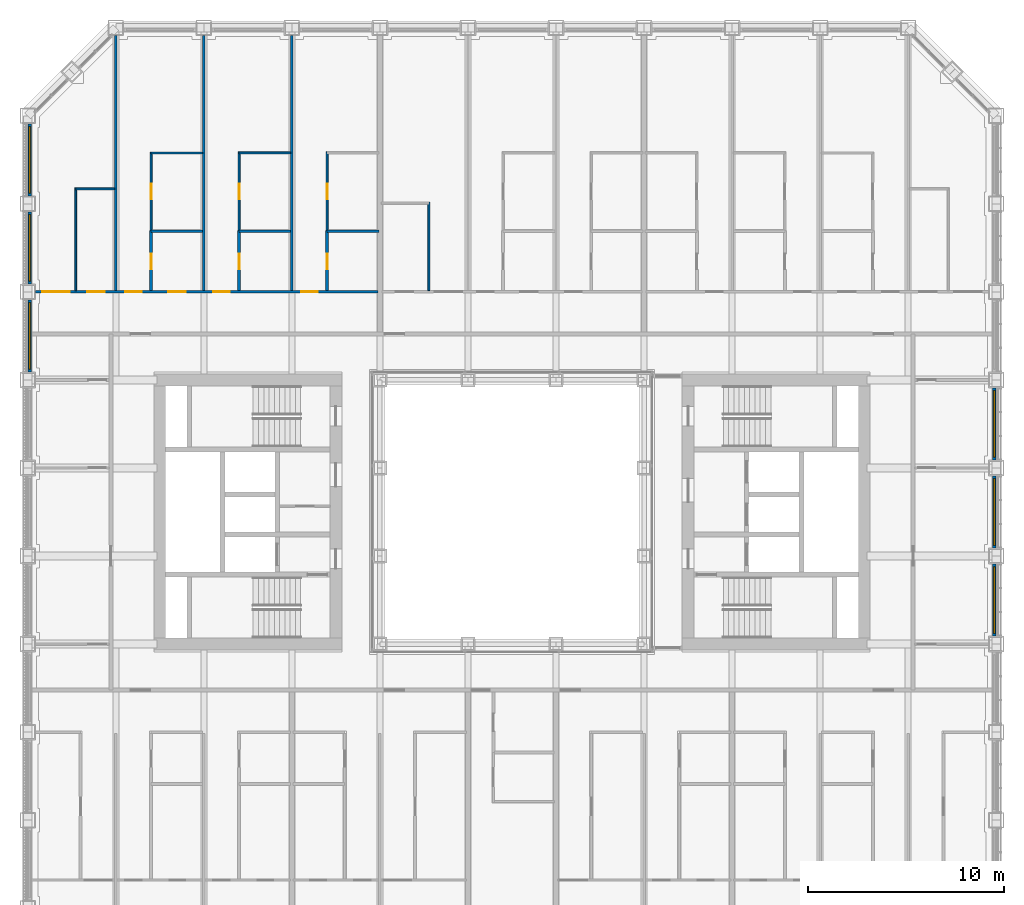
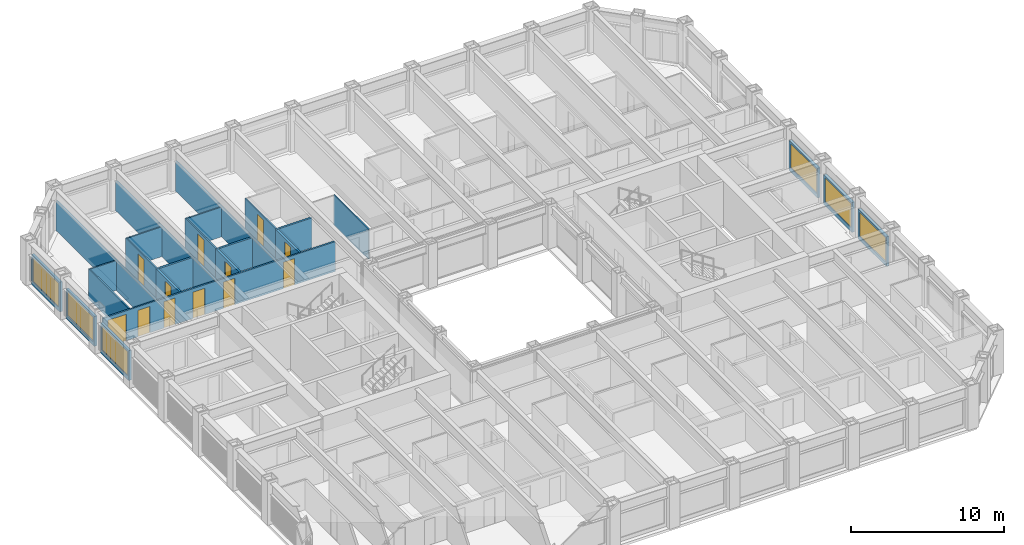
# One storey, part 13 of 21: 24 walls, 12 doors, 6 windows, 18 openings.
"""IFC4 building model written with IfcOpenShell, lengths in metres."""

from ifc_helpers import new_model, si_unit, direction, frame, frame_2d, origin, place, context, subcontext, project, spatial, rectangle, extrude, material, layer, layer_set, type_object, element, fill, save


model = new_model("IFC4")

# Units and contexts
model_context = context("Model", 3, precision=1e-05, world=origin(), true_north=direction((0.0, 1.0)))
body_context = subcontext(model_context, "Body", "Model", "MODEL_VIEW")
ifc_project = project(units=[si_unit("LENGTHUNIT", "METRE"), si_unit("AREAUNIT", "SQUARE_METRE"), si_unit("VOLUMEUNIT", "CUBIC_METRE"), si_unit("PLANEANGLEUNIT", "RADIAN"), si_unit("MASSUNIT", "GRAM", prefix="KILO")], contexts=[model_context])

# Site, building, storey
site_placement = place(None, origin())
site = spatial("IfcSite", under=ifc_project, at=site_placement, CompositionType="ELEMENT")
building_placement = place(site_placement, origin())
building = spatial("IfcBuilding", under=site, at=building_placement, Name="Msasa Ring Tower", CompositionType="ELEMENT")
storey_placement = place(building_placement, frame((0.0, 0.0, 68.5)))
storey = spatial("IfcBuildingStorey", under=building, at=storey_placement, Name="L17", CompositionType="ELEMENT", Elevation=68.5)

# Wall, opening, window
ifc_material_1 = material(Name="Terracotta rainscreen on blockwork", Category="masonry")
ifc_layer_1 = layer(ifc_material_1, 0.199951171875)
ifc_layer_set_1 = layer_set([ifc_layer_1], Name="FW1 TERRACOTTA-LINED INFILL BAY WALL 200")
wall_type_1 = type_object("IfcWallType", Name="FW1 TERRACOTTA-LINED INFILL BAY WALL 200", PredefinedType="SOLIDWALL", material=ifc_layer_set_1)
wall_1_placement = place(storey_placement, frame((24.64990234375, -6.344970703125, 0.0), z_axis=(0.0, 0.0, 1.0), x_axis=(0.0, 1.0, 0.0)))
wall_1 = element("IfcWall", 1, at=wall_1_placement, inside=storey, type_object=wall_type_1, Name="Infill bay wall E L17 14", PredefinedType="SOLIDWALL", context=body_context, shape_type="SweptSolid", body=[
    extrude(rectangle(XDim=3.68994140625, YDim=0.199951171875, at=frame_2d((1.844970703125, 0.0))), origin(), (0.0, 0.0, 1.0), 2.37890625),
])
opening_1_placement = place(wall_1_placement, frame((0.14501953125, 0.0, 0.300048828125)))
opening_1 = element("IfcOpeningElement", 2, at=opening_1_placement, cuts=wall_1, Name="Opening WN1", PredefinedType="OPENING", context=body_context, shape_type="SweptSolid", body=[
    extrude(rectangle(XDim=3.39990234375, YDim=1.928955078125, at=frame_2d((1.699951171875, 0.96435546875))), frame((0.0, 0.10986328125, 0.0), z_axis=(0.0, -1.0, 0.0), x_axis=(1.0, 0.0, 0.0)), (0.0, 0.0, 1.0), 0.219970703125),
])
ifc_material_2 = material(Name="Aluminium frame with clear glass", Category="aluminium")
window_type = type_object("IfcWindowType", Name="WN1 RESIDENCE WINDOW 3400x1929", PartitioningType="SINGLE_PANEL", PredefinedType="WINDOW", material=ifc_material_2)
window_1_placement = place(opening_1_placement, origin())
window_1 = element("IfcWindow", 3, at=window_1_placement, inside=storey, type_object=window_type, Name="Window E L17 14", OverallHeight=1.928955078125, OverallWidth=3.39990234375, PartitioningType="SINGLE_PANEL", PredefinedType="WINDOW", context=body_context, shape_type="SweptSolid", body=[
    extrude(rectangle(XDim=3.39990234375, YDim=1.928955078125, at=frame_2d((1.699951171875, 0.96435546875))), frame((0.0, 0.030029296875, 0.0), z_axis=(0.0, -1.0, 0.0), x_axis=(1.0, 0.0, 0.0)), (0.0, 0.0, 1.0), 0.06005859375),
])
fill(opening_1, window_1)

wall_2_placement = place(storey_placement, frame((24.64990234375, -1.844970703125, 0.0), z_axis=(0.0, 0.0, 1.0), x_axis=(0.0, 1.0, 0.0)))
wall_2 = element("IfcWall", 4, at=wall_2_placement, inside=storey, type_object=wall_type_1, Name="Infill bay wall E L17 15", PredefinedType="SOLIDWALL", context=body_context, shape_type="SweptSolid", body=[
    extrude(rectangle(XDim=3.68994140625, YDim=0.199951171875, at=frame_2d((1.844970703125, 0.0))), origin(), (0.0, 0.0, 1.0), 2.37890625),
])
opening_2_placement = place(wall_2_placement, frame((0.14501953125, 0.0, 0.300048828125)))
opening_2 = element("IfcOpeningElement", 5, at=opening_2_placement, cuts=wall_2, Name="Opening WN1", PredefinedType="OPENING", context=body_context, shape_type="SweptSolid", body=[
    extrude(rectangle(XDim=3.39990234375, YDim=1.928955078125, at=frame_2d((1.699951171875, 0.96435546875))), frame((0.0, 0.10986328125, 0.0), z_axis=(0.0, -1.0, 0.0), x_axis=(1.0, 0.0, 0.0)), (0.0, 0.0, 1.0), 0.219970703125),
])
window_2_placement = place(opening_2_placement, origin())
window_2 = element("IfcWindow", 6, at=window_2_placement, inside=storey, type_object=window_type, Name="Window E L17 15", OverallHeight=1.928955078125, OverallWidth=3.39990234375, PartitioningType="SINGLE_PANEL", PredefinedType="WINDOW", context=body_context, shape_type="SweptSolid", body=[
    extrude(rectangle(XDim=3.39990234375, YDim=1.928955078125, at=frame_2d((1.699951171875, 0.96435546875))), frame((0.0, 0.030029296875, 0.0), z_axis=(0.0, -1.0, 0.0), x_axis=(1.0, 0.0, 0.0)), (0.0, 0.0, 1.0), 0.06005859375),
])
fill(opening_2, window_2)

wall_3_placement = place(storey_placement, frame((24.64990234375, 2.655029296875, 0.0), z_axis=(0.0, 0.0, 1.0), x_axis=(0.0, 1.0, 0.0)))
wall_3 = element("IfcWall", 7, at=wall_3_placement, inside=storey, type_object=wall_type_1, Name="Infill bay wall E L17 16", PredefinedType="SOLIDWALL", context=body_context, shape_type="SweptSolid", body=[
    extrude(rectangle(XDim=3.68994140625, YDim=0.199951171875, at=frame_2d((1.844970703125, 0.0))), origin(), (0.0, 0.0, 1.0), 2.37890625),
])
opening_3_placement = place(wall_3_placement, frame((0.14501953125, 0.0, 0.300048828125)))
opening_3 = element("IfcOpeningElement", 8, at=opening_3_placement, cuts=wall_3, Name="Opening WN1", PredefinedType="OPENING", context=body_context, shape_type="SweptSolid", body=[
    extrude(rectangle(XDim=3.39990234375, YDim=1.928955078125, at=frame_2d((1.699951171875, 0.96435546875))), frame((0.0, 0.10986328125, 0.0), z_axis=(0.0, -1.0, 0.0), x_axis=(1.0, 0.0, 0.0)), (0.0, 0.0, 1.0), 0.219970703125),
])
window_3_placement = place(opening_3_placement, origin())
window_3 = element("IfcWindow", 9, at=window_3_placement, inside=storey, type_object=window_type, Name="Window E L17 16", OverallHeight=1.928955078125, OverallWidth=3.39990234375, PartitioningType="SINGLE_PANEL", PredefinedType="WINDOW", context=body_context, shape_type="SweptSolid", body=[
    extrude(rectangle(XDim=3.39990234375, YDim=1.928955078125, at=frame_2d((1.699951171875, 0.96435546875))), frame((0.0, 0.030029296875, 0.0), z_axis=(0.0, -1.0, 0.0), x_axis=(1.0, 0.0, 0.0)), (0.0, 0.0, 1.0), 0.06005859375),
])
fill(opening_3, window_3)

wall_4_placement = place(storey_placement, frame((-24.64990234375, 7.155029296875, 0.0), z_axis=(0.0, 0.0, 1.0), x_axis=(0.0, 1.0, 0.0)))
wall_4 = element("IfcWall", 10, at=wall_4_placement, inside=storey, type_object=wall_type_1, Name="Infill bay wall W L17 39", PredefinedType="SOLIDWALL", context=body_context, shape_type="SweptSolid", body=[
    extrude(rectangle(XDim=3.68994140625, YDim=0.199951171875, at=frame_2d((1.844970703125, 0.0))), origin(), (0.0, 0.0, 1.0), 2.37890625),
])
opening_4_placement = place(wall_4_placement, frame((0.14501953125, 0.0, 0.300048828125)))
opening_4 = element("IfcOpeningElement", 11, at=opening_4_placement, cuts=wall_4, Name="Opening WN1", PredefinedType="OPENING", context=body_context, shape_type="SweptSolid", body=[
    extrude(rectangle(XDim=3.39990234375, YDim=1.928955078125, at=frame_2d((1.699951171875, 0.96435546875))), frame((0.0, 0.10986328125, 0.0), z_axis=(0.0, -1.0, 0.0), x_axis=(1.0, 0.0, 0.0)), (0.0, 0.0, 1.0), 0.219970703125),
])
window_4_placement = place(opening_4_placement, origin())
window_4 = element("IfcWindow", 12, at=window_4_placement, inside=storey, type_object=window_type, Name="Window W L17 39", OverallHeight=1.928955078125, OverallWidth=3.39990234375, PartitioningType="SINGLE_PANEL", PredefinedType="WINDOW", context=body_context, shape_type="SweptSolid", body=[
    extrude(rectangle(XDim=3.39990234375, YDim=1.928955078125, at=frame_2d((1.699951171875, 0.96435546875))), frame((0.0, 0.030029296875, 0.0), z_axis=(0.0, -1.0, 0.0), x_axis=(1.0, 0.0, 0.0)), (0.0, 0.0, 1.0), 0.06005859375),
])
fill(opening_4, window_4)

wall_5_placement = place(storey_placement, frame((-24.64990234375, 11.655029296875, 0.0), z_axis=(0.0, 0.0, 1.0), x_axis=(0.0, 1.0, 0.0)))
wall_5 = element("IfcWall", 13, at=wall_5_placement, inside=storey, type_object=wall_type_1, Name="Infill bay wall W L17 40", PredefinedType="SOLIDWALL", context=body_context, shape_type="SweptSolid", body=[
    extrude(rectangle(XDim=3.68994140625, YDim=0.199951171875, at=frame_2d((1.844970703125, 0.0))), origin(), (0.0, 0.0, 1.0), 2.37890625),
])
opening_5_placement = place(wall_5_placement, frame((0.14501953125, 0.0, 0.300048828125)))
opening_5 = element("IfcOpeningElement", 14, at=opening_5_placement, cuts=wall_5, Name="Opening WN1", PredefinedType="OPENING", context=body_context, shape_type="SweptSolid", body=[
    extrude(rectangle(XDim=3.39990234375, YDim=1.928955078125, at=frame_2d((1.699951171875, 0.96435546875))), frame((0.0, 0.10986328125, 0.0), z_axis=(0.0, -1.0, 0.0), x_axis=(1.0, 0.0, 0.0)), (0.0, 0.0, 1.0), 0.219970703125),
])
window_5_placement = place(opening_5_placement, origin())
window_5 = element("IfcWindow", 15, at=window_5_placement, inside=storey, type_object=window_type, Name="Window W L17 40", OverallHeight=1.928955078125, OverallWidth=3.39990234375, PartitioningType="SINGLE_PANEL", PredefinedType="WINDOW", context=body_context, shape_type="SweptSolid", body=[
    extrude(rectangle(XDim=3.39990234375, YDim=1.928955078125, at=frame_2d((1.699951171875, 0.96435546875))), frame((0.0, 0.030029296875, 0.0), z_axis=(0.0, -1.0, 0.0), x_axis=(1.0, 0.0, 0.0)), (0.0, 0.0, 1.0), 0.06005859375),
])
fill(opening_5, window_5)

wall_6_placement = place(storey_placement, frame((-24.64990234375, 16.155029296875, 0.0), z_axis=(0.0, 0.0, 1.0), x_axis=(0.0, 1.0, 0.0)))
wall_6 = element("IfcWall", 16, at=wall_6_placement, inside=storey, type_object=wall_type_1, Name="Infill bay wall W L17 41", PredefinedType="SOLIDWALL", context=body_context, shape_type="SweptSolid", body=[
    extrude(rectangle(XDim=3.68994140625, YDim=0.199951171875, at=frame_2d((1.844970703125, 0.0))), origin(), (0.0, 0.0, 1.0), 2.37890625),
])
opening_6_placement = place(wall_6_placement, frame((0.14501953125, 0.0, 0.300048828125)))
opening_6 = element("IfcOpeningElement", 17, at=opening_6_placement, cuts=wall_6, Name="Opening WN1", PredefinedType="OPENING", context=body_context, shape_type="SweptSolid", body=[
    extrude(rectangle(XDim=3.39990234375, YDim=1.928955078125, at=frame_2d((1.699951171875, 0.96435546875))), frame((0.0, 0.10986328125, 0.0), z_axis=(0.0, -1.0, 0.0), x_axis=(1.0, 0.0, 0.0)), (0.0, 0.0, 1.0), 0.219970703125),
])
window_6_placement = place(opening_6_placement, origin())
window_6 = element("IfcWindow", 18, at=window_6_placement, inside=storey, type_object=window_type, Name="Window W L17 41", OverallHeight=1.928955078125, OverallWidth=3.39990234375, PartitioningType="SINGLE_PANEL", PredefinedType="WINDOW", context=body_context, shape_type="SweptSolid", body=[
    extrude(rectangle(XDim=3.39990234375, YDim=1.928955078125, at=frame_2d((1.699951171875, 0.96435546875))), frame((0.0, 0.030029296875, 0.0), z_axis=(0.0, -1.0, 0.0), x_axis=(1.0, 0.0, 0.0)), (0.0, 0.0, 1.0), 0.06005859375),
])
fill(opening_6, window_6)

# Walls
ifc_material_3 = material(Name="Gypsum board on steel studs", Category="steel")
ifc_layer_2 = layer(ifc_material_3, 0.10009765625)
ifc_layer_set_2 = layer_set([ifc_layer_2], Name="PT2 STUD PARTITION 100")
wall_type_2 = type_object("IfcWallType", Name="PT2 STUD PARTITION 100", PredefinedType="PARTITIONING", material=ifc_layer_set_2)
wall_7_placement = place(storey_placement, frame((-22.300048828125, 11.3125, 0.0), z_axis=(0.0, 0.0, 1.0), x_axis=(0.0, 1.0, 0.0)))
element("IfcWall", 19, at=wall_7_placement, inside=storey, type_object=wall_type_2, Name="Partition L17-UN00KX", PredefinedType="PARTITIONING", context=body_context, shape_type="SweptSolid", body=[
    extrude(rectangle(XDim=5.25, YDim=0.10009765625, at=frame_2d((2.625, 0.0))), origin(), (0.0, 0.0, 1.0), 2.373291015625),
])
wall_8_placement = place(storey_placement, frame((-22.300048828125, 16.512451171875, 0.0), z_axis=(0.0, 0.0, 1.0), x_axis=(1.0, 0.0, 0.0)))
element("IfcWall", 20, at=wall_8_placement, inside=storey, type_object=wall_type_2, Name="Partition L17-UN00KY", PredefinedType="PARTITIONING", context=body_context, shape_type="SweptSolid", body=[
    extrude(rectangle(XDim=1.987548828125, YDim=0.10009765625, at=frame_2d((0.99365234375, 0.0))), origin(), (0.0, 0.0, 1.0), 2.373291015625),
])

# Wall, opening, door
wall_9_placement = place(storey_placement, frame((-18.449951171875, 14.39990234375, 0.0), z_axis=(0.0, 0.0, 1.0), x_axis=(0.0, 1.0, 0.0)))
wall_9 = element("IfcWall", 21, at=wall_9_placement, inside=storey, type_object=wall_type_2, Name="Partition L17-UN00WX1", PredefinedType="PARTITIONING", context=body_context, shape_type="SweptSolid", body=[
    extrude(rectangle(XDim=4.00048828125, YDim=0.10009765625, at=frame_2d((2.000244140625, 0.0))), origin(), (0.0, 0.0, 1.0), 2.373291015625),
])
opening_7_placement = place(wall_9_placement, frame((1.5751953125, 0.0, 0.0)))
opening_7 = element("IfcOpeningElement", 22, at=opening_7_placement, cuts=wall_9, Name="Opening RE-001", PredefinedType="OPENING", context=body_context, shape_type="SweptSolid", body=[
    extrude(rectangle(XDim=0.800048828125, YDim=2.10009765625, at=frame_2d((0.39990234375, 1.050048828125))), frame((0.0, 0.06005859375, 0.0), z_axis=(0.0, -1.0, 0.0), x_axis=(1.0, 0.0, 0.0)), (0.0, 0.0, 1.0), 0.1201171875),
])
ifc_material_4 = material(Name="Timber door leaf in a steel frame", Category="steel")
door_type_1 = type_object("IfcDoorType", Name="D60 DRESSING ROOM DOOR 800x2100", OperationType="SINGLE_SWING_LEFT", PredefinedType="DOOR", material=ifc_material_4)
door_1_placement = place(opening_7_placement, origin())
door_1 = element("IfcDoor", 23, at=door_1_placement, inside=storey, type_object=door_type_1, Name="Door L17-UN00W1", OperationType="SINGLE_SWING_LEFT", OverallHeight=2.10009765625, OverallWidth=0.800048828125, PredefinedType="DOOR", context=body_context, shape_type="SweptSolid", body=[
    extrude(rectangle(XDim=0.800048828125, YDim=2.10009765625, at=frame_2d((0.39990234375, 1.050048828125))), frame((0.0, 0.02490234375, 0.0), z_axis=(0.0, -1.0, 0.0), x_axis=(1.0, 0.0, 0.0)), (0.0, 0.0, 1.0), 0.050048828125),
])
fill(opening_7, door_1)

# Wall
wall_10_placement = place(storey_placement, frame((-18.449951171875, 18.350341796875, 0.0), z_axis=(0.0, 0.0, 1.0), x_axis=(1.0, 0.0, 0.0)))
element("IfcWall", 24, at=wall_10_placement, inside=storey, type_object=wall_type_2, Name="Partition L17-UN00WY1", PredefinedType="PARTITIONING", context=body_context, shape_type="SweptSolid", body=[
    extrude(rectangle(XDim=2.639892578125, YDim=0.10009765625, at=frame_2d((1.31982421875, 0.0))), origin(), (0.0, 0.0, 1.0), 2.373291015625),
])

# Wall, opening, door
wall_11_placement = place(storey_placement, frame((-13.949951171875, 14.39990234375, 0.0), z_axis=(0.0, 0.0, 1.0), x_axis=(0.0, 1.0, 0.0)))
wall_11 = element("IfcWall", 25, at=wall_11_placement, inside=storey, type_object=wall_type_2, Name="Partition L17-UN00WX2", PredefinedType="PARTITIONING", context=body_context, shape_type="SweptSolid", body=[
    extrude(rectangle(XDim=4.003173828125, YDim=0.10009765625, at=frame_2d((2.00146484375, 0.0))), origin(), (0.0, 0.0, 1.0), 2.373291015625),
])
opening_8_placement = place(wall_11_placement, frame((1.576416015625, 0.0, 0.0)))
opening_8 = element("IfcOpeningElement", 26, at=opening_8_placement, cuts=wall_11, Name="Opening RE-002", PredefinedType="OPENING", context=body_context, shape_type="SweptSolid", body=[
    extrude(rectangle(XDim=0.800048828125, YDim=2.10009765625, at=frame_2d((0.39990234375, 1.050048828125))), frame((0.0, 0.06005859375, 0.0), z_axis=(0.0, -1.0, 0.0), x_axis=(1.0, 0.0, 0.0)), (0.0, 0.0, 1.0), 0.1201171875),
])
door_2_placement = place(opening_8_placement, origin())
door_2 = element("IfcDoor", 27, at=door_2_placement, inside=storey, type_object=door_type_1, Name="Door L17-UN00W2", OperationType="SINGLE_SWING_LEFT", OverallHeight=2.10009765625, OverallWidth=0.800048828125, PredefinedType="DOOR", context=body_context, shape_type="SweptSolid", body=[
    extrude(rectangle(XDim=0.800048828125, YDim=2.10009765625, at=frame_2d((0.39990234375, 1.050048828125))), frame((0.0, 0.02490234375, 0.0), z_axis=(0.0, -1.0, 0.0), x_axis=(1.0, 0.0, 0.0)), (0.0, 0.0, 1.0), 0.050048828125),
])
fill(opening_8, door_2)

# Wall
wall_12_placement = place(storey_placement, frame((-13.949951171875, 18.35302734375, 0.0), z_axis=(0.0, 0.0, 1.0), x_axis=(1.0, 0.0, 0.0)))
element("IfcWall", 28, at=wall_12_placement, inside=storey, type_object=wall_type_2, Name="Partition L17-UN00WY2", PredefinedType="PARTITIONING", context=body_context, shape_type="SweptSolid", body=[
    extrude(rectangle(XDim=2.639892578125, YDim=0.10009765625, at=frame_2d((1.31982421875, 0.0))), origin(), (0.0, 0.0, 1.0), 2.373291015625),
])

# Wall, opening, door
wall_13_placement = place(storey_placement, frame((-9.449951171875, 14.39990234375, 0.0), z_axis=(0.0, 0.0, 1.0), x_axis=(0.0, 1.0, 0.0)))
wall_13 = element("IfcWall", 29, at=wall_13_placement, inside=storey, type_object=wall_type_2, Name="Partition L17-UN00WX3", PredefinedType="PARTITIONING", context=body_context, shape_type="SweptSolid", body=[
    extrude(rectangle(XDim=4.003173828125, YDim=0.10009765625, at=frame_2d((2.00146484375, 0.0))), origin(), (0.0, 0.0, 1.0), 2.373291015625),
])
opening_9_placement = place(wall_13_placement, frame((1.576416015625, 0.0, 0.0)))
opening_9 = element("IfcOpeningElement", 30, at=opening_9_placement, cuts=wall_13, Name="Opening RE-003", PredefinedType="OPENING", context=body_context, shape_type="SweptSolid", body=[
    extrude(rectangle(XDim=0.800048828125, YDim=2.10009765625, at=frame_2d((0.39990234375, 1.050048828125))), frame((0.0, 0.06005859375, 0.0), z_axis=(0.0, -1.0, 0.0), x_axis=(1.0, 0.0, 0.0)), (0.0, 0.0, 1.0), 0.1201171875),
])
door_3_placement = place(opening_9_placement, origin())
door_3 = element("IfcDoor", 31, at=door_3_placement, inside=storey, type_object=door_type_1, Name="Door L17-UN00W3", OperationType="SINGLE_SWING_LEFT", OverallHeight=2.10009765625, OverallWidth=0.800048828125, PredefinedType="DOOR", context=body_context, shape_type="SweptSolid", body=[
    extrude(rectangle(XDim=0.800048828125, YDim=2.10009765625, at=frame_2d((0.39990234375, 1.050048828125))), frame((0.0, 0.02490234375, 0.0), z_axis=(0.0, -1.0, 0.0), x_axis=(1.0, 0.0, 0.0)), (0.0, 0.0, 1.0), 0.050048828125),
])
fill(opening_9, door_3)

# Wall
wall_14_placement = place(storey_placement, frame((-4.25, 11.3125, 0.0), z_axis=(0.0, 0.0, 1.0), x_axis=(0.0, 1.0, 0.0)))
element("IfcWall", 32, at=wall_14_placement, inside=storey, type_object=wall_type_2, Name="Partition L17-UN01KX", PredefinedType="PARTITIONING", context=body_context, shape_type="SweptSolid", body=[
    extrude(rectangle(XDim=4.530029296875, YDim=0.10009765625, at=frame_2d((2.26513671875, 0.0))), origin(), (0.0, 0.0, 1.0), 2.373291015625),
])

# Wall, opening, door
ifc_material_5 = material(Name="Moisture-resistant board on steel studs with a concealed cistern and pipe void, tiled", Category="steel")
ifc_layer_3 = layer(ifc_material_5, 0.14990234375)
ifc_layer_set_3 = layer_set([ifc_layer_3], Name="PT4 BATHROOM WET WALL 150")
wall_type_3 = type_object("IfcWallType", Name="PT4 BATHROOM WET WALL 150", PredefinedType="PARTITIONING", material=ifc_layer_set_3)
wall_15_placement = place(storey_placement, frame((-18.449951171875, 11.3125, 0.0), z_axis=(0.0, 0.0, 1.0), x_axis=(0.0, 1.0, 0.0)))
wall_15 = element("IfcWall", 33, at=wall_15_placement, inside=storey, type_object=wall_type_3, Name="Partition L17-UN00BX1", PredefinedType="PARTITIONING", context=body_context, shape_type="SweptSolid", body=[
    extrude(rectangle(XDim=3.08740234375, YDim=0.14990234375, at=frame_2d((1.543701171875, 0.0))), origin(), (0.0, 0.0, 1.0), 2.373291015625),
])
opening_10_placement = place(wall_15_placement, frame((1.08740234375, 0.0, 0.0)))
opening_10 = element("IfcOpeningElement", 34, at=opening_10_placement, cuts=wall_15, Name="Opening RE-009", PredefinedType="OPENING", context=body_context, shape_type="SweptSolid", body=[
    extrude(rectangle(XDim=0.800048828125, YDim=2.10009765625, at=frame_2d((0.39990234375, 1.050048828125))), frame((0.0, 0.0849609375, 0.0), z_axis=(0.0, -1.0, 0.0), x_axis=(1.0, 0.0, 0.0)), (0.0, 0.0, 1.0), 0.169921875),
])
ifc_material_6 = material(Name="Timber door leaf in a steel frame", Category="steel")
door_type_2 = type_object("IfcDoorType", Name="D21 POCKET SLIDING BATHROOM DOOR 800x2100", OperationType="SINGLE_SWING_LEFT", PredefinedType="DOOR", material=ifc_material_6)
door_4_placement = place(opening_10_placement, origin())
door_4 = element("IfcDoor", 35, at=door_4_placement, inside=storey, type_object=door_type_2, Name="Door L17-UN00B1", OperationType="SINGLE_SWING_LEFT", OverallHeight=2.10009765625, OverallWidth=0.800048828125, PredefinedType="DOOR", context=body_context, shape_type="SweptSolid", body=[
    extrude(rectangle(XDim=0.800048828125, YDim=2.10009765625, at=frame_2d((0.39990234375, 1.050048828125))), frame((0.0, 0.02490234375, 0.0), z_axis=(0.0, -1.0, 0.0), x_axis=(1.0, 0.0, 0.0)), (0.0, 0.0, 1.0), 0.050048828125),
])
fill(opening_10, door_4)

# Wall
wall_16_placement = place(storey_placement, frame((-18.449951171875, 14.35009765625, 0.0), z_axis=(0.0, 0.0, 1.0), x_axis=(1.0, 0.0, 0.0)))
element("IfcWall", 36, at=wall_16_placement, inside=storey, type_object=wall_type_3, Name="Partition L17-UN00BY1", PredefinedType="PARTITIONING", context=body_context, shape_type="SweptSolid", body=[
    extrude(rectangle(XDim=2.639892578125, YDim=0.14990234375, at=frame_2d((1.31982421875, 0.0))), origin(), (0.0, 0.0, 1.0), 2.373291015625),
])

# Wall, opening, door
wall_17_placement = place(storey_placement, frame((-13.949951171875, 11.3125, 0.0), z_axis=(0.0, 0.0, 1.0), x_axis=(0.0, 1.0, 0.0)))
wall_17 = element("IfcWall", 37, at=wall_17_placement, inside=storey, type_object=wall_type_3, Name="Partition L17-UN00BX2", PredefinedType="PARTITIONING", context=body_context, shape_type="SweptSolid", body=[
    extrude(rectangle(XDim=3.08740234375, YDim=0.14990234375, at=frame_2d((1.543701171875, 0.0))), origin(), (0.0, 0.0, 1.0), 2.373291015625),
])
opening_11_placement = place(wall_17_placement, frame((1.08740234375, 0.0, 0.0)))
opening_11 = element("IfcOpeningElement", 38, at=opening_11_placement, cuts=wall_17, Name="Opening RE-010", PredefinedType="OPENING", context=body_context, shape_type="SweptSolid", body=[
    extrude(rectangle(XDim=0.800048828125, YDim=2.10009765625, at=frame_2d((0.39990234375, 1.050048828125))), frame((0.0, 0.0849609375, 0.0), z_axis=(0.0, -1.0, 0.0), x_axis=(1.0, 0.0, 0.0)), (0.0, 0.0, 1.0), 0.169921875),
])
door_5_placement = place(opening_11_placement, origin())
door_5 = element("IfcDoor", 39, at=door_5_placement, inside=storey, type_object=door_type_2, Name="Door L17-UN00B2", OperationType="SINGLE_SWING_LEFT", OverallHeight=2.10009765625, OverallWidth=0.800048828125, PredefinedType="DOOR", context=body_context, shape_type="SweptSolid", body=[
    extrude(rectangle(XDim=0.800048828125, YDim=2.10009765625, at=frame_2d((0.39990234375, 1.050048828125))), frame((0.0, 0.02490234375, 0.0), z_axis=(0.0, -1.0, 0.0), x_axis=(1.0, 0.0, 0.0)), (0.0, 0.0, 1.0), 0.050048828125),
])
fill(opening_11, door_5)

# Wall
wall_18_placement = place(storey_placement, frame((-13.949951171875, 14.35009765625, 0.0), z_axis=(0.0, 0.0, 1.0), x_axis=(1.0, 0.0, 0.0)))
element("IfcWall", 40, at=wall_18_placement, inside=storey, type_object=wall_type_3, Name="Partition L17-UN00BY2", PredefinedType="PARTITIONING", context=body_context, shape_type="SweptSolid", body=[
    extrude(rectangle(XDim=2.639892578125, YDim=0.14990234375, at=frame_2d((1.31982421875, 0.0))), origin(), (0.0, 0.0, 1.0), 2.373291015625),
])

# Wall, opening, door
wall_19_placement = place(storey_placement, frame((-9.449951171875, 11.3125, 0.0), z_axis=(0.0, 0.0, 1.0), x_axis=(0.0, 1.0, 0.0)))
wall_19 = element("IfcWall", 41, at=wall_19_placement, inside=storey, type_object=wall_type_3, Name="Partition L17-UN00BX3", PredefinedType="PARTITIONING", context=body_context, shape_type="SweptSolid", body=[
    extrude(rectangle(XDim=3.08740234375, YDim=0.14990234375, at=frame_2d((1.543701171875, 0.0))), origin(), (0.0, 0.0, 1.0), 2.373291015625),
])
opening_12_placement = place(wall_19_placement, frame((1.08740234375, 0.0, 0.0)))
opening_12 = element("IfcOpeningElement", 42, at=opening_12_placement, cuts=wall_19, Name="Opening RE-011", PredefinedType="OPENING", context=body_context, shape_type="SweptSolid", body=[
    extrude(rectangle(XDim=0.800048828125, YDim=2.10009765625, at=frame_2d((0.39990234375, 1.050048828125))), frame((0.0, 0.0849609375, 0.0), z_axis=(0.0, -1.0, 0.0), x_axis=(1.0, 0.0, 0.0)), (0.0, 0.0, 1.0), 0.169921875),
])
door_6_placement = place(opening_12_placement, origin())
door_6 = element("IfcDoor", 43, at=door_6_placement, inside=storey, type_object=door_type_2, Name="Door L17-UN00B3", OperationType="SINGLE_SWING_LEFT", OverallHeight=2.10009765625, OverallWidth=0.800048828125, PredefinedType="DOOR", context=body_context, shape_type="SweptSolid", body=[
    extrude(rectangle(XDim=0.800048828125, YDim=2.10009765625, at=frame_2d((0.39990234375, 1.050048828125))), frame((0.0, 0.02490234375, 0.0), z_axis=(0.0, -1.0, 0.0), x_axis=(1.0, 0.0, 0.0)), (0.0, 0.0, 1.0), 0.050048828125),
])
fill(opening_12, door_6)

# Wall
wall_20_placement = place(storey_placement, frame((-9.449951171875, 14.35009765625, 0.0), z_axis=(0.0, 0.0, 1.0), x_axis=(1.0, 0.0, 0.0)))
element("IfcWall", 44, at=wall_20_placement, inside=storey, type_object=wall_type_3, Name="Partition L17-UN00BY3", PredefinedType="PARTITIONING", context=body_context, shape_type="SweptSolid", body=[
    extrude(rectangle(XDim=2.639892578125, YDim=0.14990234375, at=frame_2d((1.31982421875, 0.0))), origin(), (0.0, 0.0, 1.0), 2.373291015625),
])

# Wall, openings, doors
ifc_material_7 = material(Name="Two layers of acoustic board each face on steel studs, mineral wool", Category="steel")
ifc_layer_4 = layer(ifc_material_7, 0.125)
ifc_layer_set_4 = layer_set([ifc_layer_4], Name="PT6 ACOUSTIC DOUBLE-BOARD PARTITION 125")
wall_type_4 = type_object("IfcWallType", Name="PT6 ACOUSTIC DOUBLE-BOARD PARTITION 125", PredefinedType="PARTITIONING", material=ifc_layer_set_4)
wall_21_placement = place(storey_placement, frame((-24.35009765625, 11.25, 0.0), z_axis=(0.0, 0.0, 1.0), x_axis=(1.0, 0.0, 0.0)))
wall_21 = element("IfcWall", 45, at=wall_21_placement, inside=storey, type_object=wall_type_4, Name="Partition L17-UN00HY", PredefinedType="PARTITIONING", context=body_context, shape_type="SweptSolid", body=[
    extrude(rectangle(XDim=17.5, YDim=0.125, at=frame_2d((8.75, 0.0))), origin(), (0.0, 0.0, 1.0), 2.373291015625),
])
opening_13_placement = place(wall_21_placement, frame((2.625, 0.0, 0.0)))
opening_13 = element("IfcOpeningElement", 46, at=opening_13_placement, cuts=wall_21, Name="Opening RE-018", PredefinedType="OPENING", context=body_context, shape_type="SweptSolid", body=[
    extrude(rectangle(XDim=0.89990234375, YDim=2.10009765625, at=frame_2d((0.449951171875, 1.050048828125))), frame((0.0, 0.072509765625, 0.0), z_axis=(0.0, -1.0, 0.0), x_axis=(1.0, 0.0, 0.0)), (0.0, 0.0, 1.0), 0.14501953125),
])
opening_14_placement = place(wall_21_placement, frame((0.35009765625, 0.0, 0.0)))
opening_14 = element("IfcOpeningElement", 47, at=opening_14_placement, cuts=wall_21, Name="Opening RE-017", PredefinedType="OPENING", context=body_context, shape_type="SweptSolid", body=[
    extrude(rectangle(XDim=1.39990234375, YDim=2.10009765625, at=frame_2d((0.699951171875, 1.050048828125))), frame((0.0, 0.072509765625, 0.0), z_axis=(0.0, -1.0, 0.0), x_axis=(1.0, 0.0, 0.0)), (0.0, 0.0, 1.0), 0.14501953125),
])
opening_15_placement = place(wall_21_placement, frame((4.574951171875, 0.0, 0.0)))
opening_15 = element("IfcOpeningElement", 48, at=opening_15_placement, cuts=wall_21, Name="Opening RE-019", PredefinedType="OPENING", context=body_context, shape_type="SweptSolid", body=[
    extrude(rectangle(XDim=0.85009765625, YDim=2.10009765625, at=frame_2d((0.425048828125, 1.050048828125))), frame((0.0, 0.072509765625, 0.0), z_axis=(0.0, -1.0, 0.0), x_axis=(1.0, 0.0, 0.0)), (0.0, 0.0, 1.0), 0.14501953125),
])
opening_16_placement = place(wall_21_placement, frame((6.77001953125, 0.0, 0.0)))
opening_16 = element("IfcOpeningElement", 49, at=opening_16_placement, cuts=wall_21, Name="Opening RE-020", PredefinedType="OPENING", context=body_context, shape_type="SweptSolid", body=[
    extrude(rectangle(XDim=0.89990234375, YDim=2.10009765625, at=frame_2d((0.449951171875, 1.050048828125))), frame((0.0, 0.072509765625, 0.0), z_axis=(0.0, -1.0, 0.0), x_axis=(1.0, 0.0, 0.0)), (0.0, 0.0, 1.0), 0.14501953125),
])
opening_17_placement = place(wall_21_placement, frame((9.074951171875, 0.0, 0.0)))
opening_17 = element("IfcOpeningElement", 50, at=opening_17_placement, cuts=wall_21, Name="Opening RE-021", PredefinedType="OPENING", context=body_context, shape_type="SweptSolid", body=[
    extrude(rectangle(XDim=0.85009765625, YDim=2.10009765625, at=frame_2d((0.425048828125, 1.050048828125))), frame((0.0, 0.072509765625, 0.0), z_axis=(0.0, -1.0, 0.0), x_axis=(1.0, 0.0, 0.0)), (0.0, 0.0, 1.0), 0.14501953125),
])
opening_18_placement = place(wall_21_placement, frame((13.574951171875, 0.0, 0.0)))
opening_18 = element("IfcOpeningElement", 51, at=opening_18_placement, cuts=wall_21, Name="Opening RE-022", PredefinedType="OPENING", context=body_context, shape_type="SweptSolid", body=[
    extrude(rectangle(XDim=0.85009765625, YDim=2.10009765625, at=frame_2d((0.425048828125, 1.050048828125))), frame((0.0, 0.072509765625, 0.0), z_axis=(0.0, -1.0, 0.0), x_axis=(1.0, 0.0, 0.0)), (0.0, 0.0, 1.0), 0.14501953125),
])
ifc_material_8 = material(Name="Timber door leaf in a steel frame", Category="steel")
door_type_3 = type_object("IfcDoorType", Name="D14 BEDROOM DOOR 850x2100", OperationType="SINGLE_SWING_LEFT", PredefinedType="DOOR", material=ifc_material_8)
door_7_placement = place(opening_15_placement, origin())
door_7 = element("IfcDoor", 52, at=door_7_placement, inside=storey, type_object=door_type_3, Name="Door L17-UN00R1", OperationType="SINGLE_SWING_LEFT", OverallHeight=2.10009765625, OverallWidth=0.85009765625, PredefinedType="DOOR", context=body_context, shape_type="SweptSolid", body=[
    extrude(rectangle(XDim=0.85009765625, YDim=2.10009765625, at=frame_2d((0.425048828125, 1.050048828125))), frame((0.0, 0.02490234375, 0.0), z_axis=(0.0, -1.0, 0.0), x_axis=(1.0, 0.0, 0.0)), (0.0, 0.0, 1.0), 0.050048828125),
])
fill(opening_15, door_7)
door_8_placement = place(opening_17_placement, origin())
door_8 = element("IfcDoor", 53, at=door_8_placement, inside=storey, type_object=door_type_3, Name="Door L17-UN00R2", OperationType="SINGLE_SWING_RIGHT", OverallHeight=2.10009765625, OverallWidth=0.85009765625, PredefinedType="DOOR", context=body_context, shape_type="SweptSolid", body=[
    extrude(rectangle(XDim=0.85009765625, YDim=2.10009765625, at=frame_2d((0.425048828125, 1.050048828125))), frame((0.0, 0.02490234375, 0.0), z_axis=(0.0, -1.0, 0.0), x_axis=(1.0, 0.0, 0.0)), (0.0, 0.0, 1.0), 0.050048828125),
])
fill(opening_17, door_8)
door_9_placement = place(opening_18_placement, origin())
door_9 = element("IfcDoor", 54, at=door_9_placement, inside=storey, type_object=door_type_3, Name="Door L17-UN00R3", OperationType="SINGLE_SWING_RIGHT", OverallHeight=2.10009765625, OverallWidth=0.85009765625, PredefinedType="DOOR", context=body_context, shape_type="SweptSolid", body=[
    extrude(rectangle(XDim=0.85009765625, YDim=2.10009765625, at=frame_2d((0.425048828125, 1.050048828125))), frame((0.0, 0.02490234375, 0.0), z_axis=(0.0, -1.0, 0.0), x_axis=(1.0, 0.0, 0.0)), (0.0, 0.0, 1.0), 0.050048828125),
])
fill(opening_18, door_9)
ifc_material_9 = material(Name="Timber door leaf in a steel frame", Category="steel")
door_type_4 = type_object("IfcDoorType", Name="D15 LIVING ROOM PAIR OF GLAZED DOORS 1400x2100", OperationType="SINGLE_SWING_LEFT", PredefinedType="DOOR", material=ifc_material_9)
door_10_placement = place(opening_14_placement, origin())
door_10 = element("IfcDoor", 55, at=door_10_placement, inside=storey, type_object=door_type_4, Name="Door L17-UN00L", OperationType="SINGLE_SWING_LEFT", OverallHeight=2.10009765625, OverallWidth=1.39990234375, PredefinedType="DOOR", context=body_context, shape_type="SweptSolid", body=[
    extrude(rectangle(XDim=1.39990234375, YDim=2.10009765625, at=frame_2d((0.699951171875, 1.050048828125))), frame((0.0, 0.02490234375, 0.0), z_axis=(0.0, -1.0, 0.0), x_axis=(1.0, 0.0, 0.0)), (0.0, 0.0, 1.0), 0.050048828125),
])
fill(opening_14, door_10)
ifc_material_10 = material(Name="Timber door leaf in a steel frame", Category="steel")
door_type_5 = type_object("IfcDoorType", Name="D22 INTERNAL HALL DOOR 900x2100", OperationType="SINGLE_SWING_LEFT", PredefinedType="DOOR", material=ifc_material_10)
door_11_placement = place(opening_13_placement, origin())
door_11 = element("IfcDoor", 56, at=door_11_placement, inside=storey, type_object=door_type_5, Name="Door L17-UN00K", OperationType="SINGLE_SWING_LEFT", OverallHeight=2.10009765625, OverallWidth=0.89990234375, PredefinedType="DOOR", context=body_context, shape_type="SweptSolid", body=[
    extrude(rectangle(XDim=0.89990234375, YDim=2.10009765625, at=frame_2d((0.449951171875, 1.050048828125))), frame((0.0, 0.02490234375, 0.0), z_axis=(0.0, -1.0, 0.0), x_axis=(1.0, 0.0, 0.0)), (0.0, 0.0, 1.0), 0.050048828125),
])
fill(opening_13, door_11)
ifc_material_11 = material(Name="Timber door leaf in a steel frame", Category="steel")
door_type_6 = type_object("IfcDoorType", Name="D3 BATHROOM DOOR 900x2100", OperationType="SINGLE_SWING_LEFT", PredefinedType="DOOR", material=ifc_material_11)
door_12_placement = place(opening_16_placement, origin())
door_12 = element("IfcDoor", 57, at=door_12_placement, inside=storey, type_object=door_type_6, Name="Door L17-UN00BH1", OperationType="SINGLE_SWING_LEFT", OverallHeight=2.10009765625, OverallWidth=0.89990234375, PredefinedType="DOOR", context=body_context, shape_type="SweptSolid", body=[
    extrude(rectangle(XDim=0.89990234375, YDim=2.10009765625, at=frame_2d((0.449951171875, 1.050048828125))), frame((0.0, 0.02490234375, 0.0), z_axis=(0.0, -1.0, 0.0), x_axis=(1.0, 0.0, 0.0)), (0.0, 0.0, 1.0), 0.050048828125),
])
fill(opening_16, door_12)

# Walls
for number, where, z_axis, x_axis, name in (
    (58, (-20.25, 11.3125, 0.0), (0.0, 0.0, 1.0), (0.0, 1.0, 0.0), "Partition L17-UN00P1"),
    (59, (-15.75, 11.3125, 0.0), (0.0, 0.0, 1.0), (0.0, 1.0, 0.0), "Partition L17-UN00P2"),
    (60, (-11.25, 11.3125, 0.0), (0.0, 0.0, 1.0), (0.0, 1.0, 0.0), "Partition L17-UN00P3"),
):
    element("IfcWall", number, at=place(storey_placement, frame(where, z_axis=z_axis, x_axis=x_axis)), inside=storey, type_object=wall_type_4, Name=name, PredefinedType="PARTITIONING", context=body_context, shape_type="SweptSolid", body=[
        extrude(rectangle(XDim=13.03759765625, YDim=0.125, at=frame_2d((6.518798828125, 0.0))), origin(), (0.0, 0.0, 1.0), 2.373291015625),
    ])

save(model, "model.ifc")
